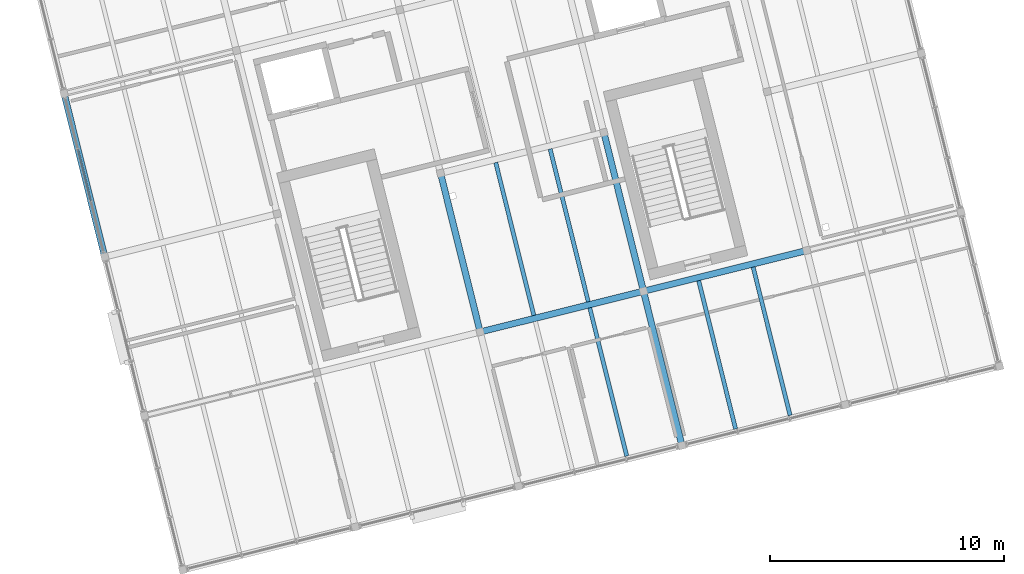
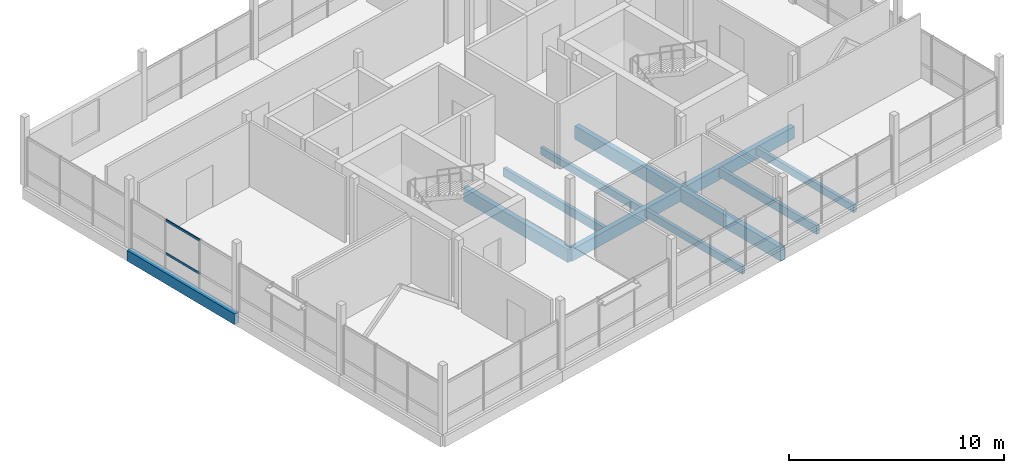
# One storey, part 8 of 25: 11 beams, 2 members, 1 element without a shape of its own.
"""IFC4 building model written with IfcOpenShell, lengths in metres."""

from ifc_helpers import new_model, si_unit, direction, frame, origin, origin_2d, place, context, subcontext, project, spatial, rectangle, hollow_rectangle, extrude, material, layer, layer_set, material_profile, profile_set, type_object, element, aggregate, save


model = new_model("IFC4")

# Units and contexts
model_context = context("Model", 3, precision=1e-05, world=origin(), true_north=direction((0.0, 1.0)))
body_context = subcontext(model_context, "Body", "Model", "MODEL_VIEW")
ifc_project = project(units=[si_unit("LENGTHUNIT", "METRE"), si_unit("AREAUNIT", "SQUARE_METRE"), si_unit("VOLUMEUNIT", "CUBIC_METRE"), si_unit("PLANEANGLEUNIT", "RADIAN"), si_unit("MASSUNIT", "GRAM", prefix="KILO")], contexts=[model_context])

# Site, building, storey
site_placement = place(None, origin())
site = spatial("IfcSite", under=ifc_project, at=site_placement, CompositionType="ELEMENT")
building_placement = place(site_placement, origin())
building = spatial("IfcBuilding", under=site, at=building_placement, Name="Meriwether Solvik Hall", CompositionType="ELEMENT")
storey_placement = place(building_placement, frame((0.0, 0.0, 53.39990234375)))
storey = spatial("IfcBuildingStorey", under=building, at=storey_placement, Name="L13", CompositionType="ELEMENT", Elevation=53.39990234375)

# Beams
ifc_material_1 = material(Name="Glulam Douglas-Fir 24F-V8 GL28h", Category="wood")
ifc_material_profile_1 = material_profile(ifc_material_1, rectangle(XDim=0.27294921875, YDim=0.610107421875, at=origin_2d()), Name="GLB-273X610")
ifc_profile_set_1 = profile_set([ifc_material_profile_1], Name="Glulam Douglas-Fir 24F-V8 GL28h")
beam_type_1 = type_object("IfcBeamType", Name="BM-GL-273X610", PredefinedType="SPANDREL", material=ifc_profile_set_1)
beam_1_placement = place(storey_placement, frame((65.261474609375, 54.590087890625, -0.48486328125), z_axis=(-0.241937193493, 0.970291911955, 0.0), x_axis=(-0.970291911955, -0.241937193493, 0.0)))
element("IfcBeam", 1, at=beam_1_placement, inside=storey, type_object=beam_type_1, Name="Tower Girder T1:TC-TD (L13)", PredefinedType="SPANDREL", context=body_context, shape_type="SweptSolid", body=[
    extrude(rectangle(XDim=0.27294921875, YDim=0.610107421875, at=origin_2d()), origin(), (0.0, 0.0, 1.0), 7.199951171875),
])
ifc_material_2 = material(Name="Glulam Douglas-Fir 24F-V8 GL28h", Category="wood")
ifc_material_profile_2 = material_profile(ifc_material_2, rectangle(XDim=0.27294921875, YDim=0.68505859375, at=origin_2d()), Name="GLB-273X685")
ifc_profile_set_2 = profile_set([ifc_material_profile_2], Name="Glulam Douglas-Fir 24F-V8 GL28h")
beam_type_2 = type_object("IfcBeamType", Name="BM-GL-273X685", PredefinedType="BEAM", material=ifc_profile_set_2)
for number, where, z_axis, x_axis, name in (
    (2, (81.3154296875, 51.37841796875, -0.5224609375), (0.970291911955, 0.241937193493, 0.0), (-0.241937193493, 0.970291911955, 0.0), "Tower Girder TB:T3-T4 (L13)"),
    (3, (88.301513671875, 53.120361328125, -0.5224609375), (0.970299871507, 0.241905269381, 0.0), (-0.241905269381, 0.970299871507, 0.0), "Tower Girder TB:T4-T5 (L13)"),
):
    element("IfcBeam", number, at=place(storey_placement, frame(where, z_axis=z_axis, x_axis=x_axis)), inside=storey, type_object=beam_type_2, Name=name, PredefinedType="BEAM", context=body_context, shape_type="SweptSolid", body=[
        extrude(rectangle(XDim=0.27294921875, YDim=0.68505859375, at=origin_2d()), origin(), (0.0, 0.0, 1.0), 7.199951171875),
    ])
ifc_material_3 = material(Name="Glulam Douglas-Fir 24F-V8 GL28h", Category="wood")
ifc_material_profile_3 = material_profile(ifc_material_3, rectangle(XDim=0.27294921875, YDim=0.760009765625, at=origin_2d()), Name="GLB-273X760")
ifc_profile_set_3 = profile_set([ifc_material_profile_3], Name="Glulam Douglas-Fir 24F-V8 GL28h")
beam_type_3 = type_object("IfcBeamType", Name="BM-GL-273X760", PredefinedType="BEAM", material=ifc_profile_set_3)
beam_2_placement = place(storey_placement, frame((81.3154296875, 51.37841796875, -0.559814453125), z_axis=(-0.241944715397, 0.970290036376, 0.0), x_axis=(-0.970290036376, -0.241944715397, 0.0)))
element("IfcBeam", 4, at=beam_2_placement, inside=storey, type_object=beam_type_3, Name="Tower Girder T3:TB-TC (L13)", PredefinedType="BEAM", context=body_context, shape_type="SweptSolid", body=[
    extrude(rectangle(XDim=0.27294921875, YDim=0.760009765625, at=origin_2d()), origin(), (0.0, 0.0, 1.0), 7.0),
])
beam_3_placement = place(storey_placement, frame((89.946533203125, 46.522216796875, -0.559814453125), z_axis=(-0.24191045034, 0.970298579828, 0.0), x_axis=(-0.970298579828, -0.24191045034, 0.0)))
element("IfcBeam", 5, at=beam_3_placement, inside=storey, type_object=beam_type_3, Name="Tower Girder T4:TA-TB (L13)", PredefinedType="BEAM", context=body_context, shape_type="SweptSolid", body=[
    extrude(rectangle(XDim=0.27294921875, YDim=0.760009765625, at=origin_2d()), origin(), (0.0, 0.0, 1.0), 6.800048828125),
])
beam_4_placement = place(storey_placement, frame((88.301513671875, 53.120361328125, -0.559814453125), z_axis=(-0.241944715397, 0.970290036376, 0.0), x_axis=(-0.970290036376, -0.241944715397, 0.0)))
element("IfcBeam", 6, at=beam_4_placement, inside=storey, type_object=beam_type_3, Name="Tower Girder T4:TB-TC (L13)", PredefinedType="BEAM", context=body_context, shape_type="SweptSolid", body=[
    extrude(rectangle(XDim=0.27294921875, YDim=0.760009765625, at=origin_2d()), origin(), (0.0, 0.0, 1.0), 7.0),
])

# Curtain wall, members
ifc_material_4 = material(Name="Thermally Broken Anodised Aluminium 6063-T6 and Low-E Glass", Category="aluminium")
ifc_layer = layer(ifc_material_4, 0.179931640625)
ifc_layer_set = layer_set([ifc_layer], Name="Thermally Broken Anodised Aluminium 6063-T6 and Low-E Glass")
curtain_wall_type = type_object("IfcCurtainWallType", Name="CW-UNIT-B", PredefinedType="USERDEFINED", material=ifc_layer_set)
curtain_wall_placement = place(storey_placement, origin())
curtain_wall = element("IfcCurtainWall", 7, at=curtain_wall_placement, inside=storey, type_object=curtain_wall_type, Name="Curtain Wall E3_B2 (L13)", ObjectType="UNITISED CURTAIN WALL", PredefinedType="USERDEFINED")
ifc_material_5 = material(Name="Anodised Aluminium 6063-T6", Category="aluminium")
ifc_material_profile_4 = material_profile(ifc_material_5, hollow_rectangle(XDim=0.06005859375, YDim=0.1201171875, WallThickness=0.00390625, at=origin_2d()), Name="CWT-60X120")
ifc_profile_set_4 = profile_set([ifc_material_profile_4], Name="Anodised Aluminium 6063-T6")
member_type = type_object("IfcMemberType", Name="CW-TRN-60X120", PredefinedType="USERDEFINED", material=ifc_profile_set_4)
member_1_placement = place(storey_placement, frame((64.667236328125, 56.9736328125, 0.8310546875), z_axis=(-0.241907601634, 0.97029929005, 0.0), x_axis=(-0.97029929005, -0.241907601634, 0.0)))
member_1 = element("IfcMember", 8, at=member_1_placement, type_object=member_type, Name="Curtain Wall Transom 2-sill", ObjectType="TRANSOM", PredefinedType="USERDEFINED", context=body_context, shape_type="SweptSolid", body=[
    extrude(hollow_rectangle(XDim=0.06005859375, YDim=0.1201171875, WallThickness=0.00390625, at=origin_2d()), origin(), (0.0, 0.0, 1.0), 2.286865234375),
])
member_2_placement = place(storey_placement, frame((64.667236328125, 56.9736328125, 2.710205078125), z_axis=(-0.241907601634, 0.97029929005, 0.0), x_axis=(-0.97029929005, -0.241907601634, 0.0)))
member_2 = element("IfcMember", 9, at=member_2_placement, type_object=member_type, Name="Curtain Wall Transom 2-head", ObjectType="TRANSOM", PredefinedType="USERDEFINED", context=body_context, shape_type="SweptSolid", body=[
    extrude(hollow_rectangle(XDim=0.06005859375, YDim=0.1201171875, WallThickness=0.00390625, at=origin_2d()), origin(), (0.0, 0.0, 1.0), 2.286865234375),
])
aggregate(curtain_wall, [member_1, member_2])

# Beams
ifc_material_6 = material(Name="Glulam Douglas-Fir 24F-V8 GL28h", Category="wood")
ifc_material_profile_5 = material_profile(ifc_material_6, rectangle(XDim=0.175048828125, YDim=0.419921875, at=origin_2d()), Name="GLJ-175X420")
ifc_profile_set_5 = profile_set([ifc_material_profile_5], Name="Glulam Douglas-Fir 24F-V8 GL28h")
beam_type_4 = type_object("IfcBeamType", Name="JST-GL-175X420", PredefinedType="JOIST", material=ifc_profile_set_5)
beam_5_placement = place(storey_placement, frame((87.5859375, 46.0693359375, -0.389892578125), z_axis=(-0.241902854765, 0.970300473491, 0.0), x_axis=(-0.970300473491, -0.241902854765, 0.0)))
element("IfcBeam", 10, at=beam_5_placement, inside=storey, type_object=beam_type_4, Name="Glulam Floor Joist T3/TA-J2 (L13)", PredefinedType="JOIST", context=body_context, shape_type="SweptSolid", body=[
    extrude(rectangle(XDim=0.175048828125, YDim=0.419921875, at=origin_2d()), origin(), (0.0, 0.0, 1.0), 6.536865234375),
])
beam_6_placement = place(storey_placement, frame((85.94091796875, 52.667236328125, -0.389892578125), z_axis=(-0.241930176813, 0.9702936615, 0.0), x_axis=(-0.9702936615, -0.241930176813, 0.0)))
element("IfcBeam", 11, at=beam_6_placement, inside=storey, type_object=beam_type_4, Name="Glulam Floor Joist T3/TB-J2 (L13)", PredefinedType="JOIST", context=body_context, shape_type="SweptSolid", body=[
    extrude(rectangle(XDim=0.175048828125, YDim=0.419921875, at=origin_2d()), origin(), (0.0, 0.0, 1.0), 6.737060546875),
])
beam_7_placement = place(storey_placement, frame((94.572021484375, 47.81103515625, -0.389892578125), z_axis=(-0.241902854765, 0.970300473491, 0.0), x_axis=(-0.970300473491, -0.241902854765, 0.0)))
element("IfcBeam", 12, at=beam_7_placement, inside=storey, type_object=beam_type_4, Name="Glulam Floor Joist T4/TA-J2 (L13)", PredefinedType="JOIST", context=body_context, shape_type="SweptSolid", body=[
    extrude(rectangle(XDim=0.175048828125, YDim=0.419921875, at=origin_2d()), origin(), (0.0, 0.0, 1.0), 6.536865234375),
])
ifc_material_7 = material(Name="Glulam Douglas-Fir 24F-V8 GL28h", Category="wood")
ifc_material_profile_6 = material_profile(ifc_material_7, rectangle(XDim=0.175048828125, YDim=0.4951171875, at=origin_2d()), Name="GLJ-175X495")
ifc_profile_set_6 = profile_set([ifc_material_profile_6], Name="Glulam Douglas-Fir 24F-V8 GL28h")
beam_type_5 = type_object("IfcBeamType", Name="JST-GL-175X495", PredefinedType="JOIST", material=ifc_profile_set_6)
beam_8_placement = place(storey_placement, frame((83.6123046875, 52.086669921875, -0.427490234375), z_axis=(-0.241930176813, 0.9702936615, 0.0), x_axis=(-0.9702936615, -0.241930176813, 0.0)))
element("IfcBeam", 13, at=beam_8_placement, inside=storey, type_object=beam_type_5, Name="Glulam Floor Joist T3/TB-J1 (L13)", PredefinedType="JOIST", context=body_context, shape_type="SweptSolid", body=[
    extrude(rectangle(XDim=0.175048828125, YDim=0.4951171875, at=origin_2d()), origin(), (0.0, 0.0, 1.0), 6.737060546875),
])
beam_9_placement = place(storey_placement, frame((92.243408203125, 47.23046875, -0.427490234375), z_axis=(-0.241938016776, 0.970291706673, 0.0), x_axis=(-0.970291706673, -0.241938016776, 0.0)))
element("IfcBeam", 14, at=beam_9_placement, inside=storey, type_object=beam_type_5, Name="Glulam Floor Joist T4/TA-J1 (L13)", PredefinedType="JOIST", context=body_context, shape_type="SweptSolid", body=[
    extrude(rectangle(XDim=0.175048828125, YDim=0.4951171875, at=origin_2d()), origin(), (0.0, 0.0, 1.0), 6.536865234375),
])

save(model, "model.ifc")
